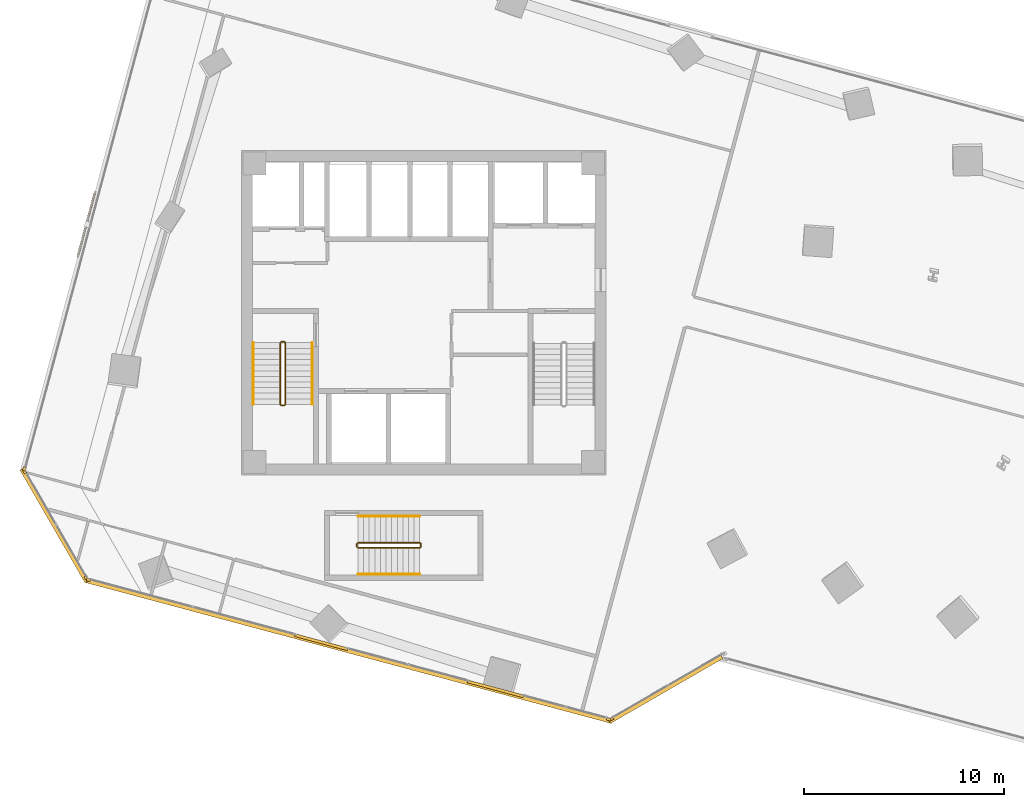
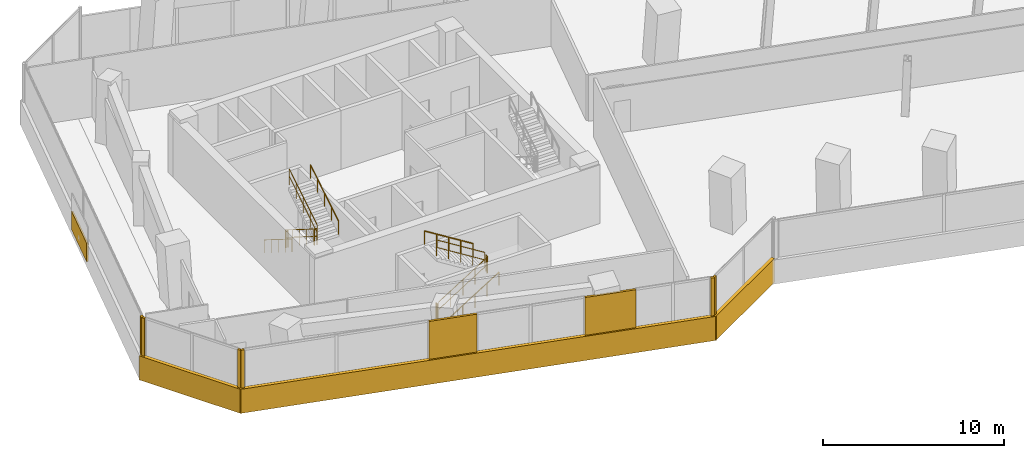
# One storey, part 23 of 27: 12 railings, 11 coverings, 1 shading device.
"""IFC4 building model written with IfcOpenShell, lengths in metres."""

from ifc_helpers import new_model, si_unit, direction, frame, origin, origin_2d, place, context, subcontext, project, spatial, rectangle, circle, extrude, source, transform, mapped, material, layer, layer_set, type_object, element, save


model = new_model("IFC4")

# Units and contexts
model_context = context("Model", 3, precision=1e-05, world=origin(), true_north=direction((0.0, 1.0)))
body_context = subcontext(model_context, "Body", "Model", "MODEL_VIEW")
ifc_project = project(units=[si_unit("LENGTHUNIT", "METRE"), si_unit("AREAUNIT", "SQUARE_METRE"), si_unit("VOLUMEUNIT", "CUBIC_METRE"), si_unit("PLANEANGLEUNIT", "RADIAN"), si_unit("MASSUNIT", "GRAM", prefix="KILO")], contexts=[model_context])

# Site, building, storey
site_placement = place(None, origin())
site = spatial("IfcSite", under=ifc_project, at=site_placement, CompositionType="ELEMENT")
building_placement = place(site_placement, origin())
building = spatial("IfcBuilding", under=site, at=building_placement, Name="Torre Montelarca", CompositionType="ELEMENT")
storey_placement = place(building_placement, frame((0.0, 0.0, 108.39990234375)))
storey = spatial("IfcBuildingStorey", under=building, at=storey_placement, Name="L24", CompositionType="ELEMENT", Elevation=108.39990234375)

# Railings
ifc_material_1 = material(Name="Powder-coated steel ASTM A500 Grade C", Category="steel")
railing_type_1 = type_object("IfcRailingType", Name="RL-GUARD-1100", PredefinedType="BALUSTRADE", material=ifc_material_1)
railing_1_placement = place(storey_placement, frame((10.85009765625, 30.5, 0.175048828125)))
element("IfcRailing", 1, at=railing_1_placement, inside=storey, type_object=railing_type_1, Name="L24 ST1 stair guard 1", PredefinedType="BALUSTRADE", context=body_context, shape_type="SweptSolid", body=[
    extrude(circle(Radius=0.02392578125, at=origin_2d()), frame((0.0, 0.0, 1.076171875), z_axis=(0.0, -0.847998304005, 0.529998940003), x_axis=(1.0, 0.0, 0.0)), (0.0, 0.0, 1.0), 3.632080078125),
    extrude(circle(Radius=0.02099609375, at=origin_2d()), frame((0.0, 0.0, 0.572021484375), z_axis=(0.0, -0.847998304005, 0.529998940003), x_axis=(1.0, 0.0, 0.0)), (0.0, 0.0, 1.0), 3.632080078125),
    extrude(circle(Radius=0.02099609375, at=origin_2d()), origin(), (0.0, 0.0, 1.0), 1.052001953125),
    extrude(circle(Radius=0.02099609375, at=origin_2d()), frame((0.0, -0.77001953125, 0.481201171875)), (0.0, 0.0, 1.0), 1.052001953125),
    extrude(circle(Radius=0.02099609375, at=origin_2d()), frame((0.0, -1.5400390625, 0.96240234375)), (0.0, 0.0, 1.0), 1.052001953125),
    extrude(circle(Radius=0.02099609375, at=origin_2d()), frame((0.0, -2.31005859375, 1.44384765625)), (0.0, 0.0, 1.0), 1.052001953125),
    extrude(circle(Radius=0.02099609375, at=origin_2d()), frame((0.0, -3.080078125, 1.925048828125)), (0.0, 0.0, 1.0), 1.052001953125),
])
railing_2_placement = place(storey_placement, frame((10.89990234375, 27.3701171875, 2.10009765625)))
element("IfcRailing", 2, at=railing_2_placement, inside=storey, type_object=railing_type_1, Name="L24 ST1 stair guard 2", PredefinedType="BALUSTRADE", context=body_context, shape_type="SweptSolid", body=[
    extrude(circle(Radius=0.02392578125, at=origin_2d()), frame((0.0, 0.0, 1.076171875), z_axis=(1.0, 0.0, 0.0), x_axis=(0.0, 1.0, 0.0)), (0.0, 0.0, 1.0), 0.150146484375),
    extrude(circle(Radius=0.02099609375, at=origin_2d()), frame((0.0, 0.0, 0.572021484375), z_axis=(1.0, 0.0, 0.0), x_axis=(0.0, 1.0, 0.0)), (0.0, 0.0, 1.0), 0.150146484375),
    extrude(circle(Radius=0.02099609375, at=origin_2d()), origin(), (0.0, 0.0, 1.0), 1.052001953125),
    extrude(circle(Radius=0.02099609375, at=origin_2d()), frame((0.150146484375, 0.0, 0.0)), (0.0, 0.0, 1.0), 1.052001953125),
])
railing_3_placement = place(storey_placement, frame((11.10009765625, 27.419921875, 2.275146484375)))
element("IfcRailing", 3, at=railing_3_placement, inside=storey, type_object=railing_type_1, Name="L24 ST1 stair guard 3", PredefinedType="BALUSTRADE", context=body_context, shape_type="SweptSolid", body=[
    extrude(circle(Radius=0.02392578125, at=origin_2d()), frame((0.0, 0.0, 1.076171875), z_axis=(0.0, 0.847998304005, 0.529998940003), x_axis=(-1.0, 0.0, 0.0)), (0.0, 0.0, 1.0), 3.632080078125),
    extrude(circle(Radius=0.02099609375, at=origin_2d()), frame((0.0, 0.0, 0.572021484375), z_axis=(0.0, 0.847998304005, 0.529998940003), x_axis=(-1.0, 0.0, 0.0)), (0.0, 0.0, 1.0), 3.632080078125),
    extrude(circle(Radius=0.02099609375, at=origin_2d()), origin(), (0.0, 0.0, 1.0), 1.052001953125),
    extrude(circle(Radius=0.02099609375, at=origin_2d()), frame((0.0, 0.77001953125, 0.481201171875)), (0.0, 0.0, 1.0), 1.052001953125),
    extrude(circle(Radius=0.02099609375, at=origin_2d()), frame((0.0, 1.5400390625, 0.96240234375)), (0.0, 0.0, 1.0), 1.052001953125),
    extrude(circle(Radius=0.02099609375, at=origin_2d()), frame((0.0, 2.31005859375, 1.44384765625)), (0.0, 0.0, 1.0), 1.052001953125),
    extrude(circle(Radius=0.02099609375, at=origin_2d()), frame((0.0, 3.080078125, 1.925048828125)), (0.0, 0.0, 1.0), 1.052001953125),
])
railing_4_placement = place(storey_placement, frame((10.89990234375, 30.550048828125, 0.0)))
element("IfcRailing", 4, at=railing_4_placement, inside=storey, type_object=railing_type_1, Name="L24 ST1 stair guard 4", PredefinedType="BALUSTRADE", context=body_context, shape_type="SweptSolid", body=[
    extrude(circle(Radius=0.02392578125, at=origin_2d()), frame((0.0, 0.0, 1.076171875), z_axis=(1.0, 0.0, 0.0), x_axis=(0.0, 1.0, 0.0)), (0.0, 0.0, 1.0), 0.150146484375),
    extrude(circle(Radius=0.02099609375, at=origin_2d()), frame((0.0, 0.0, 0.572021484375), z_axis=(1.0, 0.0, 0.0), x_axis=(0.0, 1.0, 0.0)), (0.0, 0.0, 1.0), 0.150146484375),
    extrude(circle(Radius=0.02099609375, at=origin_2d()), origin(), (0.0, 0.0, 1.0), 1.052001953125),
    extrude(circle(Radius=0.02099609375, at=origin_2d()), frame((0.150146484375, 0.0, 0.0)), (0.0, 0.0, 1.0), 1.052001953125),
])
railing_5_placement = place(storey_placement, frame((14.719970703125, 20.27001953125, 0.175048828125)))
element("IfcRailing", 5, at=railing_5_placement, inside=storey, type_object=railing_type_1, Name="L24 ST3 stair guard 1", PredefinedType="BALUSTRADE", context=body_context, shape_type="SweptSolid", body=[
    extrude(circle(Radius=0.02392578125, at=origin_2d()), frame((0.0, 0.0, 1.076171875), z_axis=(0.847998304005, 0.0, 0.529998940003), x_axis=(0.0, 1.0, 0.0)), (0.0, 0.0, 1.0), 3.632080078125),
    extrude(circle(Radius=0.02099609375, at=origin_2d()), frame((0.0, 0.0, 0.572021484375), z_axis=(0.847998304005, 0.0, 0.529998940003), x_axis=(0.0, 1.0, 0.0)), (0.0, 0.0, 1.0), 3.632080078125),
    extrude(circle(Radius=0.02099609375, at=origin_2d()), origin(), (0.0, 0.0, 1.0), 1.052001953125),
    extrude(circle(Radius=0.02099609375, at=origin_2d()), frame((0.77001953125, 0.0, 0.481201171875)), (0.0, 0.0, 1.0), 1.052001953125),
    extrude(circle(Radius=0.02099609375, at=origin_2d()), frame((1.5400390625, 0.0, 0.96240234375)), (0.0, 0.0, 1.0), 1.052001953125),
    extrude(circle(Radius=0.02099609375, at=origin_2d()), frame((2.31005859375, 0.0, 1.44384765625)), (0.0, 0.0, 1.0), 1.052001953125),
    extrude(circle(Radius=0.02099609375, at=origin_2d()), frame((3.080078125, 0.0, 1.925048828125)), (0.0, 0.0, 1.0), 1.052001953125),
])
railing_6_placement = place(storey_placement, frame((17.85009765625, 20.320068359375, 2.10009765625)))
element("IfcRailing", 6, at=railing_6_placement, inside=storey, type_object=railing_type_1, Name="L24 ST3 stair guard 2", PredefinedType="BALUSTRADE", context=body_context, shape_type="SweptSolid", body=[
    extrude(circle(Radius=0.02392578125, at=origin_2d()), frame((0.0, 0.0, 1.076171875), z_axis=(0.0, 1.0, 0.0), x_axis=(-1.0, 0.0, 0.0)), (0.0, 0.0, 1.0), 0.14990234375),
    extrude(circle(Radius=0.02099609375, at=origin_2d()), frame((0.0, 0.0, 0.572021484375), z_axis=(0.0, 1.0, 0.0), x_axis=(-1.0, 0.0, 0.0)), (0.0, 0.0, 1.0), 0.14990234375),
    extrude(circle(Radius=0.02099609375, at=origin_2d()), origin(), (0.0, 0.0, 1.0), 1.052001953125),
    extrude(circle(Radius=0.02099609375, at=origin_2d()), frame((0.0, 0.14990234375, 0.0)), (0.0, 0.0, 1.0), 1.052001953125),
])
railing_7_placement = place(storey_placement, frame((17.800048828125, 20.52001953125, 2.275146484375)))
element("IfcRailing", 7, at=railing_7_placement, inside=storey, type_object=railing_type_1, Name="L24 ST3 stair guard 3", PredefinedType="BALUSTRADE", context=body_context, shape_type="SweptSolid", body=[
    extrude(circle(Radius=0.02392578125, at=origin_2d()), frame((0.0, 0.0, 1.076171875), z_axis=(-0.847998304005, 0.0, 0.529998940003), x_axis=(0.0, -1.0, 0.0)), (0.0, 0.0, 1.0), 3.632080078125),
    extrude(circle(Radius=0.02099609375, at=origin_2d()), frame((0.0, 0.0, 0.572021484375), z_axis=(-0.847998304005, 0.0, 0.529998940003), x_axis=(0.0, -1.0, 0.0)), (0.0, 0.0, 1.0), 3.632080078125),
    extrude(circle(Radius=0.02099609375, at=origin_2d()), origin(), (0.0, 0.0, 1.0), 1.052001953125),
    extrude(circle(Radius=0.02099609375, at=origin_2d()), frame((-0.77001953125, 0.0, 0.481201171875)), (0.0, 0.0, 1.0), 1.052001953125),
    extrude(circle(Radius=0.02099609375, at=origin_2d()), frame((-1.5400390625, 0.0, 0.96240234375)), (0.0, 0.0, 1.0), 1.052001953125),
    extrude(circle(Radius=0.02099609375, at=origin_2d()), frame((-2.31005859375, 0.0, 1.44384765625)), (0.0, 0.0, 1.0), 1.052001953125),
    extrude(circle(Radius=0.02099609375, at=origin_2d()), frame((-3.080078125, 0.0, 1.925048828125)), (0.0, 0.0, 1.0), 1.052001953125),
])
railing_8_placement = place(storey_placement, frame((14.669921875, 20.320068359375, 0.0)))
element("IfcRailing", 8, at=railing_8_placement, inside=storey, type_object=railing_type_1, Name="L24 ST3 stair guard 4", PredefinedType="BALUSTRADE", context=body_context, shape_type="SweptSolid", body=[
    extrude(circle(Radius=0.02392578125, at=origin_2d()), frame((0.0, 0.0, 1.076171875), z_axis=(0.0, 1.0, 0.0), x_axis=(-1.0, 0.0, 0.0)), (0.0, 0.0, 1.0), 0.14990234375),
    extrude(circle(Radius=0.02099609375, at=origin_2d()), frame((0.0, 0.0, 0.572021484375), z_axis=(0.0, 1.0, 0.0), x_axis=(-1.0, 0.0, 0.0)), (0.0, 0.0, 1.0), 0.14990234375),
    extrude(circle(Radius=0.02099609375, at=origin_2d()), origin(), (0.0, 0.0, 1.0), 1.052001953125),
    extrude(circle(Radius=0.02099609375, at=origin_2d()), frame((0.0, 0.14990234375, 0.0)), (0.0, 0.0, 1.0), 1.052001953125),
])
ifc_material_2 = material(Name="Brushed stainless steel AISI 316", Category="steel")
railing_type_2 = type_object("IfcRailingType", Name="RL-HANDRAIL-900", PredefinedType="HANDRAIL", material=ifc_material_2)
railing_9_placement = place(storey_placement, frame((9.5, 30.5, 0.175048828125)))
element("IfcRailing", 9, at=railing_9_placement, inside=storey, type_object=railing_type_2, Name="L24 ST1 stair handrail 1", PredefinedType="HANDRAIL", context=body_context, shape_type="SweptSolid", body=[
    extrude(circle(Radius=0.02392578125, at=origin_2d()), frame((0.0, 0.0, 0.8759765625), z_axis=(0.0, -0.847998304005, 0.529998940003), x_axis=(1.0, 0.0, 0.0)), (0.0, 0.0, 1.0), 3.632080078125),
    extrude(circle(Radius=0.02099609375, at=origin_2d()), origin(), (0.0, 0.0, 1.0), 0.851806640625),
    extrude(circle(Radius=0.02099609375, at=origin_2d()), frame((0.0, -0.77001953125, 0.481201171875)), (0.0, 0.0, 1.0), 0.851806640625),
    extrude(circle(Radius=0.02099609375, at=origin_2d()), frame((0.0, -1.5400390625, 0.96240234375)), (0.0, 0.0, 1.0), 0.851806640625),
    extrude(circle(Radius=0.02099609375, at=origin_2d()), frame((0.0, -2.31005859375, 1.44384765625)), (0.0, 0.0, 1.0), 0.851806640625),
    extrude(circle(Radius=0.02099609375, at=origin_2d()), frame((0.0, -3.080078125, 1.925048828125)), (0.0, 0.0, 1.0), 0.851806640625),
])
railing_10_placement = place(storey_placement, frame((12.449951171875, 27.419921875, 2.275146484375)))
element("IfcRailing", 10, at=railing_10_placement, inside=storey, type_object=railing_type_2, Name="L24 ST1 stair handrail 2", PredefinedType="HANDRAIL", context=body_context, shape_type="SweptSolid", body=[
    extrude(circle(Radius=0.02392578125, at=origin_2d()), frame((0.0, 0.0, 0.8759765625), z_axis=(0.0, 0.847998304005, 0.529998940003), x_axis=(-1.0, 0.0, 0.0)), (0.0, 0.0, 1.0), 3.632080078125),
    extrude(circle(Radius=0.02099609375, at=origin_2d()), origin(), (0.0, 0.0, 1.0), 0.851806640625),
    extrude(circle(Radius=0.02099609375, at=origin_2d()), frame((0.0, 0.77001953125, 0.481201171875)), (0.0, 0.0, 1.0), 0.851806640625),
    extrude(circle(Radius=0.02099609375, at=origin_2d()), frame((0.0, 1.5400390625, 0.96240234375)), (0.0, 0.0, 1.0), 0.851806640625),
    extrude(circle(Radius=0.02099609375, at=origin_2d()), frame((0.0, 2.31005859375, 1.44384765625)), (0.0, 0.0, 1.0), 0.851806640625),
    extrude(circle(Radius=0.02099609375, at=origin_2d()), frame((0.0, 3.080078125, 1.925048828125)), (0.0, 0.0, 1.0), 0.851806640625),
])
railing_11_placement = place(storey_placement, frame((14.719970703125, 18.949951171875, 0.175048828125)))
element("IfcRailing", 11, at=railing_11_placement, inside=storey, type_object=railing_type_2, Name="L24 ST3 stair handrail 1", PredefinedType="HANDRAIL", context=body_context, shape_type="SweptSolid", body=[
    extrude(circle(Radius=0.02392578125, at=origin_2d()), frame((0.0, 0.0, 0.8759765625), z_axis=(0.847998304005, 0.0, 0.529998940003), x_axis=(0.0, 1.0, 0.0)), (0.0, 0.0, 1.0), 3.632080078125),
    extrude(circle(Radius=0.02099609375, at=origin_2d()), origin(), (0.0, 0.0, 1.0), 0.851806640625),
    extrude(circle(Radius=0.02099609375, at=origin_2d()), frame((0.77001953125, 0.0, 0.481201171875)), (0.0, 0.0, 1.0), 0.851806640625),
    extrude(circle(Radius=0.02099609375, at=origin_2d()), frame((1.5400390625, 0.0, 0.96240234375)), (0.0, 0.0, 1.0), 0.851806640625),
    extrude(circle(Radius=0.02099609375, at=origin_2d()), frame((2.31005859375, 0.0, 1.44384765625)), (0.0, 0.0, 1.0), 0.851806640625),
    extrude(circle(Radius=0.02099609375, at=origin_2d()), frame((3.080078125, 0.0, 1.925048828125)), (0.0, 0.0, 1.0), 0.851806640625),
])
railing_12_placement = place(storey_placement, frame((17.800048828125, 21.840087890625, 2.275146484375)))
element("IfcRailing", 12, at=railing_12_placement, inside=storey, type_object=railing_type_2, Name="L24 ST3 stair handrail 2", PredefinedType="HANDRAIL", context=body_context, shape_type="SweptSolid", body=[
    extrude(circle(Radius=0.02392578125, at=origin_2d()), frame((0.0, 0.0, 0.8759765625), z_axis=(-0.847998304005, 0.0, 0.529998940003), x_axis=(0.0, -1.0, 0.0)), (0.0, 0.0, 1.0), 3.632080078125),
    extrude(circle(Radius=0.02099609375, at=origin_2d()), origin(), (0.0, 0.0, 1.0), 0.851806640625),
    extrude(circle(Radius=0.02099609375, at=origin_2d()), frame((-0.77001953125, 0.0, 0.481201171875)), (0.0, 0.0, 1.0), 0.851806640625),
    extrude(circle(Radius=0.02099609375, at=origin_2d()), frame((-1.5400390625, 0.0, 0.96240234375)), (0.0, 0.0, 1.0), 0.851806640625),
    extrude(circle(Radius=0.02099609375, at=origin_2d()), frame((-2.31005859375, 0.0, 1.44384765625)), (0.0, 0.0, 1.0), 0.851806640625),
    extrude(circle(Radius=0.02099609375, at=origin_2d()), frame((-3.080078125, 0.0, 1.925048828125)), (0.0, 0.0, 1.0), 0.851806640625),
])

# Coverings
ifc_material_3 = material(Name="Bush-hammered warm white precast concrete C45/55", Category="concrete")
ifc_layer_1 = layer(ifc_material_3, 0.139892578125, Name="Bush-hammered warm white precast concrete C45/55", Category="concrete")
ifc_layer_set_1 = layer_set([ifc_layer_1], Name="Bush-hammered warm white precast concrete C45/55")
covering_type = type_object("IfcCoveringType", Name="COV-TRAY-CLAD", PredefinedType="CLADDING", material=ifc_layer_set_1)
shared_shape_1 = source(origin(), body_context, "Body", "SweptSolid", [
    extrude(rectangle(XDim=6.48388671875, YDim=0.219970703125, at=origin_2d()), origin(), (0.0, 0.0, 1.0), 1.6201171875),
])
for number, where, z_axis, x_axis, name in (
    (13, (30.05859375, 13.216064453125, -0.449951171875), (0.0, 0.0, 1.0), (0.866021913105, 0.500006045986, 0.0), "L24 Architectural White Spandrel Tray Band TRYBOT-02"),
    (14, (-0.423583984375, 21.3837890625, -0.449951171875), (0.0, 0.0, 1.0), (0.4999984885, -0.866026276448, 0.0), "L24 Architectural White Spandrel Tray Band TRYBOT-11"),
):
    element("IfcCovering", number, at=place(storey_placement, frame(where, z_axis=z_axis, x_axis=x_axis)), inside=storey, type_object=covering_type, Name=name, PredefinedType="CLADDING", context=body_context, shape_type="MappedRepresentation", body=[
        mapped(shared_shape_1, transform((0.0, 0.0, 0.0), scale=1.0)),
    ])
shared_shape_2 = source(origin(), body_context, "Body", "SweptSolid", [
    extrude(rectangle(XDim=27.219970703125, YDim=0.219970703125, at=origin_2d()), origin(), (0.0, 0.0, 1.0), 1.6201171875),
])
covering_1_placement = place(storey_placement, frame((14.237548828125, 15.135009765625, -0.449951171875), z_axis=(0.0, 0.0, 1.0), x_axis=(0.965925826289, -0.258819045103, 0.0)))
element("IfcCovering", 15, at=covering_1_placement, inside=storey, type_object=covering_type, Name="L24 Architectural White Spandrel Tray Band TRYBOT-01", PredefinedType="CLADDING", context=body_context, shape_type="MappedRepresentation", body=[
    mapped(shared_shape_2, transform((0.0, 0.0, 0.0), scale=1.0)),
])

# Shading device
ifc_material_4 = material(Name="Architectural perforated terracotta ceramic", Category="masonry")
ifc_layer_2 = layer(ifc_material_4, 0.080078125, Name="Architectural perforated terracotta ceramic", Category="masonry")
ifc_layer_set_2 = layer_set([ifc_layer_2], Name="Architectural perforated terracotta ceramic")
shading_device_type = type_object("IfcShadingDeviceType", Name="SHD-JALOUSIE-1", PredefinedType="JALOUSIE", material=ifc_layer_set_2)
shared_shape_3 = source(origin(), body_context, "Body", "SweptSolid", [
    extrude(rectangle(XDim=3.199951171875, YDim=0.10009765625, at=origin_2d()), origin(), (0.0, 0.0, 1.0), 1.25),
])
shading_device_placement = place(storey_placement, frame((1.169189453125, 36.412353515625, -0.0048828125), z_axis=(0.0, 0.0, 1.0), x_axis=(-0.258819045103, -0.965925826289, 0.0)))
element("IfcShadingDevice", 16, at=shading_device_placement, inside=storey, type_object=shading_device_type, Name="L24 Facade Solar Shading Device E10", PredefinedType="JALOUSIE", context=body_context, shape_type="MappedRepresentation", body=[
    mapped(shared_shape_3, transform((0.0, 0.0, 0.0), scale=1.0)),
])

# Coverings
shared_shape_4 = source(origin(), body_context, "Body", "SweptSolid", [
    extrude(rectangle(XDim=0.199951171875, YDim=0.139892578125, at=origin_2d()), origin(), (0.0, 0.0, 1.0), 3.719970703125),
])
for number, where, z_axis, x_axis, name in (
    (17, (1.276611328125, 18.669921875, 0.0), (0.0, 0.0, 1.0), (0.965925826289, -0.258819045103, 0.0), "L24 Architectural Column Pier Cladding E01-1"),
    (18, (27.2294921875, 11.7158203125, 0.0), (0.0, 0.0, 1.0), (0.965925826289, -0.258819045103, 0.0), "L24 Architectural Column Pier Cladding E01-4"),
    (19, (27.373291015625, 11.73486328125, 0.0), (0.0, 0.0, 1.0), (0.866024531118, 0.500001511499, 0.0), "L24 Architectural Column Pier Cladding E02-1"),
    (20, (-1.923583984375, 24.212890625, 0.0), (0.0, 0.0, 1.0), (-0.258819045103, -0.965925826289, 0.0), "L24 Architectural Column Pier Cladding E10-2"),
    (21, (-1.904541015625, 24.069091796875, 0.0), (0.0, 0.0, 1.0), (0.500001511499, -0.866024531118, 0.0), "L24 Architectural Column Pier Cladding E11-1"),
    (22, (1.16162109375, 18.75830078125, 0.0), (0.0, 0.0, 1.0), (0.500001511499, -0.866024531118, 0.0), "L24 Architectural Column Pier Cladding E11-2"),
):
    element("IfcCovering", number, at=place(storey_placement, frame(where, z_axis=z_axis, x_axis=x_axis)), inside=storey, type_object=covering_type, Name=name, PredefinedType="CLADDING", context=body_context, shape_type="MappedRepresentation", body=[
        mapped(shared_shape_4, transform((0.0, 0.0, 0.0), scale=1.0)),
    ])
shared_shape_5 = source(origin(), body_context, "Body", "SweptSolid", [
    extrude(rectangle(XDim=2.888916015625, YDim=0.139892578125, at=origin_2d()), origin(), (0.0, 0.0, 1.0), 3.719970703125),
])
covering_2_placement = place(storey_placement, frame((21.57861328125, 13.22998046875, 0.0), z_axis=(0.0, 0.0, 1.0), x_axis=(0.965925826289, -0.258819045103, 0.0)))
element("IfcCovering", 23, at=covering_2_placement, inside=storey, type_object=covering_type, Name="L24 Architectural Column Pier Cladding E01-3", PredefinedType="CLADDING", context=body_context, shape_type="MappedRepresentation", body=[
    mapped(shared_shape_5, transform((0.0, 0.0, 0.0), scale=1.0)),
])
shared_shape_6 = source(origin(), body_context, "Body", "SweptSolid", [
    extrude(rectangle(XDim=2.732421875, YDim=0.139892578125, at=origin_2d()), origin(), (0.0, 0.0, 1.0), 3.719970703125),
])
covering_3_placement = place(storey_placement, frame((12.890380859375, 15.55810546875, 0.0), z_axis=(0.0, 0.0, 1.0), x_axis=(0.965925826289, -0.258819045103, 0.0)))
element("IfcCovering", 24, at=covering_3_placement, inside=storey, type_object=covering_type, Name="L24 Architectural Column Pier Cladding E01-2", PredefinedType="CLADDING", context=body_context, shape_type="MappedRepresentation", body=[
    mapped(shared_shape_6, transform((0.0, 0.0, 0.0), scale=1.0)),
])

save(model, "model.ifc")
